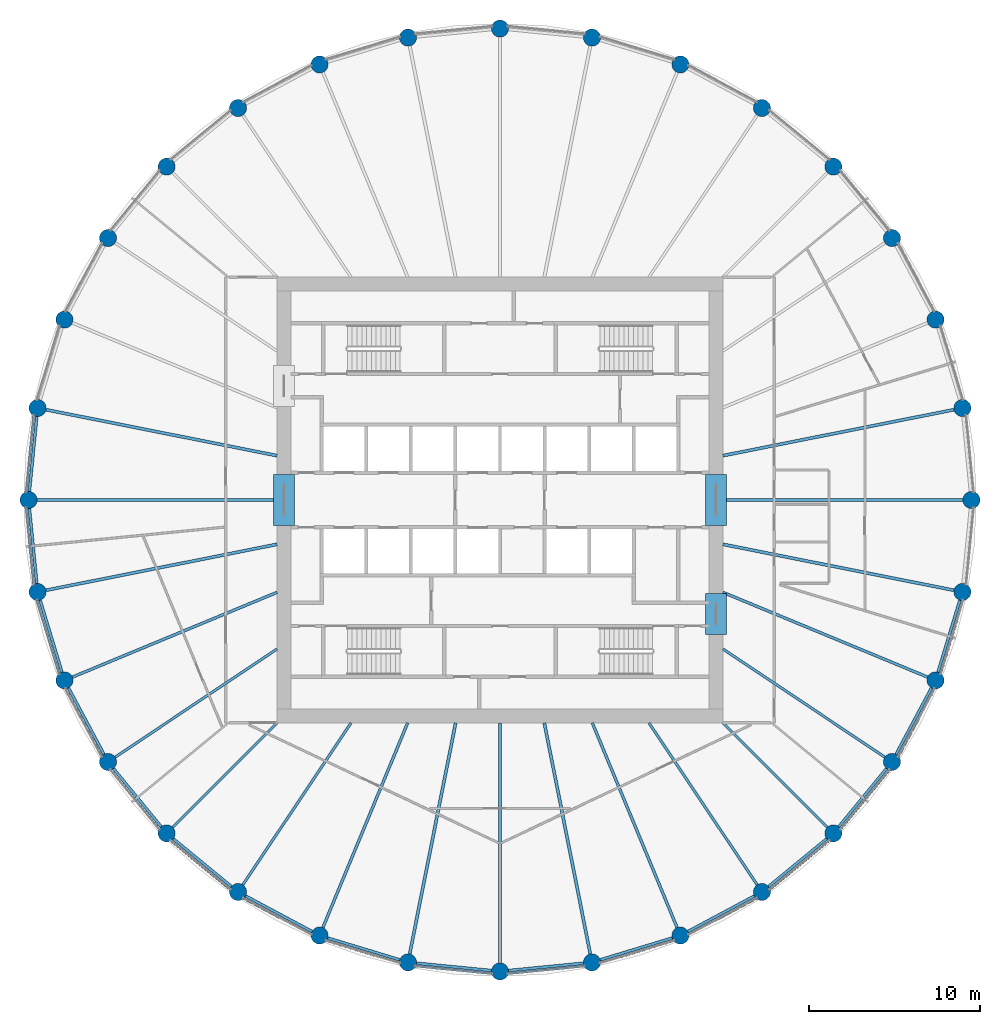
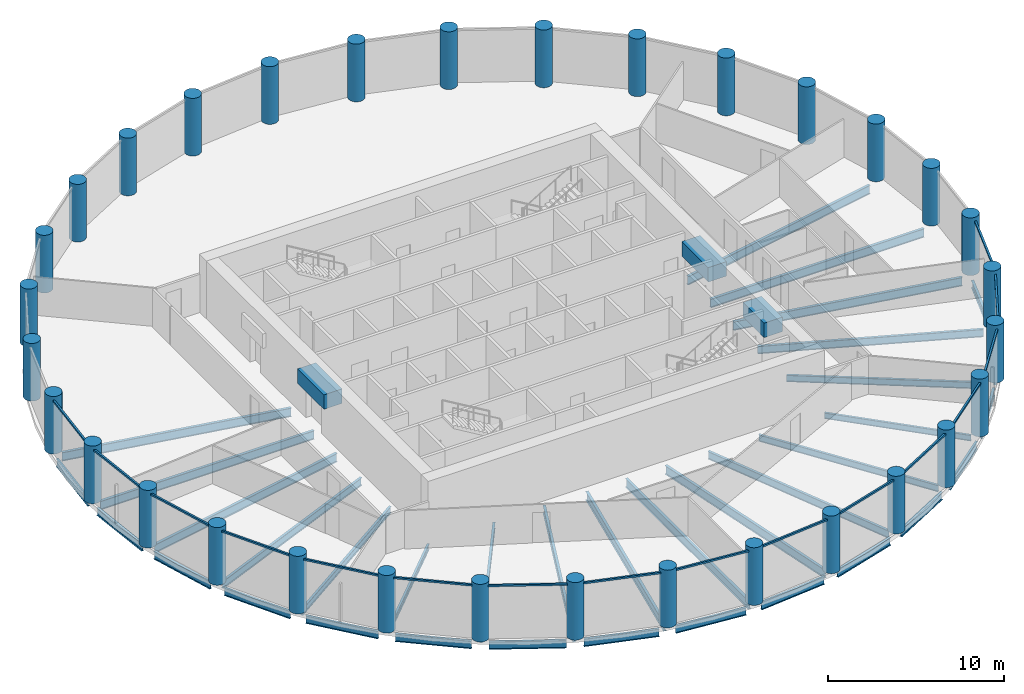
# One storey, part 1 of 8: 38 beams, 32 columns, 16 members, 16 elements without a shape of their own.
"""IFC4 building model written with IfcOpenShell, lengths in metres."""

from ifc_helpers import new_model, si_unit, direction, frame, origin, origin_2d, place, context, subcontext, project, spatial, rectangle, circle, i_section, extrude, material, material_profile, profile_set, type_object, element, aggregate, save


model = new_model("IFC4")

# Units and contexts
model_context = context("Model", 3, precision=1e-05, world=origin(), true_north=direction((0.0, 1.0)))
body_context = subcontext(model_context, "Body", "Model", "MODEL_VIEW")
ifc_project = project(units=[si_unit("LENGTHUNIT", "METRE"), si_unit("AREAUNIT", "SQUARE_METRE"), si_unit("VOLUMEUNIT", "CUBIC_METRE"), si_unit("PLANEANGLEUNIT", "RADIAN"), si_unit("MASSUNIT", "GRAM", prefix="KILO")], contexts=[model_context])

# Site, building, storey
site_placement = place(None, origin())
site = spatial("IfcSite", under=ifc_project, at=site_placement, CompositionType="ELEMENT")
building_placement = place(site_placement, origin())
building = spatial("IfcBuilding", under=site, at=building_placement, Name="Corvane Civic Tower", CompositionType="ELEMENT")
storey_placement = place(building_placement, frame((0.0, 0.0, 253.5)))
storey = spatial("IfcBuildingStorey", under=building, at=storey_placement, Name="L60", CompositionType="ELEMENT", Elevation=253.5)

# Columns
ifc_material_1 = material(Name="Concrete C60/75", Category="concrete")
ifc_material_profile_1 = material_profile(ifc_material_1, circle(Radius=0.5, at=origin_2d()), Name="COLUMN 1000")
ifc_profile_set_1 = profile_set([ifc_material_profile_1], Name="Concrete C60/75")
column_type = type_object("IfcColumnType", Name="RC COLUMN COLUMN 1000", PredefinedType="COLUMN", material=ifc_profile_set_1)
for number, where, z_axis, x_axis, name in (
    (1, (0.0, 27.5, 0.0), (0.0, 0.0, 1.0), (1.0, 0.0, 0.0), "COL-L60-D01"),
    (2, (5.364990234375, 26.9716796875, 0.0), (0.0, 0.0, 1.0), (1.0, 0.0, 0.0), "COL-L60-D02"),
    (3, (10.523681640625, 25.40673828125, 0.0), (0.0, 0.0, 1.0), (1.0, 0.0, 0.0), "COL-L60-D03"),
    (4, (15.278076171875, 22.865478515625, 0.0), (0.0, 0.0, 1.0), (1.0, 0.0, 0.0), "COL-L60-D04"),
    (5, (19.445556640625, 19.445556640625, 0.0), (0.0, 0.0, 1.0), (1.0, 0.0, 0.0), "COL-L60-D05"),
    (6, (22.865478515625, 15.278076171875, 0.0), (0.0, 0.0, 1.0), (1.0, 0.0, 0.0), "COL-L60-D06"),
    (7, (25.40673828125, 10.523681640625, 0.0), (0.0, 0.0, 1.0), (1.0, 0.0, 0.0), "COL-L60-D07"),
    (8, (26.9716796875, 5.364990234375, 0.0), (0.0, 0.0, 1.0), (1.0, 0.0, 0.0), "COL-L60-D08"),
    (9, (27.5, 0.0, 0.0), (0.0, 0.0, 1.0), (1.0, 0.0, 0.0), "COL-L60-D09"),
    (10, (26.9716796875, -5.364990234375, 0.0), (0.0, 0.0, 1.0), (1.0, 0.0, 0.0), "COL-L60-D10"),
    (11, (25.40673828125, -10.523681640625, 0.0), (0.0, 0.0, 1.0), (1.0, 0.0, 0.0), "COL-L60-D11"),
    (12, (22.865478515625, -15.278076171875, 0.0), (0.0, 0.0, 1.0), (1.0, 0.0, 0.0), "COL-L60-D12"),
    (13, (19.445556640625, -19.445556640625, 0.0), (0.0, 0.0, 1.0), (1.0, 0.0, 0.0), "COL-L60-D13"),
    (14, (15.278076171875, -22.865478515625, 0.0), (0.0, 0.0, 1.0), (1.0, 0.0, 0.0), "COL-L60-D14"),
    (15, (10.523681640625, -25.40673828125, 0.0), (0.0, 0.0, 1.0), (1.0, 0.0, 0.0), "COL-L60-D15"),
    (16, (5.364990234375, -26.9716796875, 0.0), (0.0, 0.0, 1.0), (1.0, 0.0, 0.0), "COL-L60-D16"),
    (17, (0.0, -27.5, 0.0), (0.0, 0.0, 1.0), (1.0, 0.0, 0.0), "COL-L60-D17"),
    (18, (-5.364990234375, -26.9716796875, 0.0), (0.0, 0.0, 1.0), (1.0, 0.0, 0.0), "COL-L60-D18"),
    (19, (-10.523681640625, -25.40673828125, 0.0), (0.0, 0.0, 1.0), (1.0, 0.0, 0.0), "COL-L60-D19"),
    (20, (-15.278076171875, -22.865478515625, 0.0), (0.0, 0.0, 1.0), (1.0, 0.0, 0.0), "COL-L60-D20"),
    (21, (-19.445556640625, -19.445556640625, 0.0), (0.0, 0.0, 1.0), (1.0, 0.0, 0.0), "COL-L60-D21"),
    (22, (-22.865478515625, -15.278076171875, 0.0), (0.0, 0.0, 1.0), (1.0, 0.0, 0.0), "COL-L60-D22"),
    (23, (-25.40673828125, -10.523681640625, 0.0), (0.0, 0.0, 1.0), (1.0, 0.0, 0.0), "COL-L60-D23"),
    (24, (-26.9716796875, -5.364990234375, 0.0), (0.0, 0.0, 1.0), (1.0, 0.0, 0.0), "COL-L60-D24"),
    (25, (-27.5, 0.0, 0.0), (0.0, 0.0, 1.0), (1.0, 0.0, 0.0), "COL-L60-D25"),
    (26, (-26.9716796875, 5.364990234375, 0.0), (0.0, 0.0, 1.0), (1.0, 0.0, 0.0), "COL-L60-D26"),
    (27, (-25.40673828125, 10.523681640625, 0.0), (0.0, 0.0, 1.0), (1.0, 0.0, 0.0), "COL-L60-D27"),
    (28, (-22.865478515625, 15.278076171875, 0.0), (0.0, 0.0, 1.0), (1.0, 0.0, 0.0), "COL-L60-D28"),
    (29, (-19.445556640625, 19.445556640625, 0.0), (0.0, 0.0, 1.0), (1.0, 0.0, 0.0), "COL-L60-D29"),
    (30, (-15.278076171875, 22.865478515625, 0.0), (0.0, 0.0, 1.0), (1.0, 0.0, 0.0), "COL-L60-D30"),
    (31, (-10.523681640625, 25.40673828125, 0.0), (0.0, 0.0, 1.0), (1.0, 0.0, 0.0), "COL-L60-D31"),
    (32, (-5.364990234375, 26.9716796875, 0.0), (0.0, 0.0, 1.0), (1.0, 0.0, 0.0), "COL-L60-D32"),
):
    element("IfcColumn", number, at=place(storey_placement, frame(where, z_axis=z_axis, x_axis=x_axis)), inside=storey, type_object=column_type, Name=name, PredefinedType="COLUMN", context=body_context, shape_type="SweptSolid", body=[
        extrude(circle(Radius=0.5, at=origin_2d()), origin(), (0.0, 0.0, 1.0), 4.0),
    ])

# Beams
ifc_material_2 = material(Name="Concrete C50/60", Category="concrete")
ifc_material_profile_2 = material_profile(ifc_material_2, rectangle(XDim=1.199951171875, YDim=1.0, at=origin_2d()), Name="COUPLING BEAM 1200X1000")
ifc_profile_set_2 = profile_set([ifc_material_profile_2], Name="Concrete C50/60")
beam_type_1 = type_object("IfcBeamType", Name="COUPLING BEAM COUPLING BEAM 1200X1000", PredefinedType="BEAM", material=ifc_profile_set_2)
for number, where, z_axis, x_axis, name in (
    (33, (-12.60009765625, -1.5, 2.60009765625), (0.0, 1.0, 0.0), (-1.0, 0.0, 0.0), "BM-L60-cpl-CW-LW"),
    (34, (12.60009765625, -1.5, 2.60009765625), (0.0, 1.0, 0.0), (-1.0, 0.0, 0.0), "BM-L60-cpl-CW-LE"),
):
    element("IfcBeam", number, at=place(storey_placement, frame(where, z_axis=z_axis, x_axis=x_axis)), inside=storey, type_object=beam_type_1, Name=name, PredefinedType="BEAM", context=body_context, shape_type="SweptSolid", body=[
        extrude(rectangle(XDim=1.199951171875, YDim=1.0, at=origin_2d()), origin(), (0.0, 0.0, 1.0), 3.0),
    ])
beam_1_placement = place(storey_placement, frame((12.60009765625, -7.85009765625, 2.60009765625), z_axis=(0.0, 1.0, 0.0), x_axis=(-1.0, 0.0, 0.0)))
element("IfcBeam", 35, at=beam_1_placement, inside=storey, type_object=beam_type_1, Name="BM-L60-cpl-CW-ES", PredefinedType="BEAM", context=body_context, shape_type="SweptSolid", body=[
    extrude(rectangle(XDim=1.199951171875, YDim=1.0, at=origin_2d()), origin(), (0.0, 0.0, 1.0), 2.400146484375),
])
ifc_material_3 = material(Name="Steel ASTM A992 Gr 50", Category="steel")
ifc_material_profile_3 = material_profile(ifc_material_3, i_section(OverallWidth=0.165771484375, OverallDepth=0.5283203125, WebThickness=0.009765625, FlangeThickness=0.013671875, at=origin_2d()), Name="W21X50")
ifc_profile_set_3 = profile_set([ifc_material_profile_3], Name="Steel ASTM A992 Gr 50")
beam_type_2 = type_object("IfcBeamType", Name="EDGE BEAM W21X50", PredefinedType="BEAM", material=ifc_profile_set_3)
beam_2_placement = place(storey_placement, frame((26.826416015625, -5.843505859375, -0.564208984375), z_axis=(-0.290254307888, -0.956949547653, 0.0), x_axis=(0.956949547653, -0.290254307888, 0.0)))
element("IfcBeam", 36, at=beam_2_placement, inside=storey, type_object=beam_type_2, Name="BM-L60-E10", PredefinedType="BEAM", context=body_context, shape_type="SweptSolid", body=[
    extrude(i_section(OverallWidth=0.165771484375, OverallDepth=0.5283203125, WebThickness=0.009765625, FlangeThickness=0.013671875, at=origin_2d()), origin(), (0.0, 0.0, 1.0), 4.390625),
])
for number, where, z_axis, x_axis, name in (
    (37, (25.171142578125, -10.964599609375, -0.564208984375), (-0.471422006704, -0.881907756852, 0.0), (0.881907756852, -0.471422006704, 0.0), "BM-L60-E11"),
    (38, (22.54833984375, -15.66455078125, -0.564208984375), (-0.634369433447, -0.773030026524, 0.0), (0.773030026524, -0.634369433447, 0.0), "BM-L60-E12"),
    (39, (19.05908203125, -19.7626953125, -0.564208984375), (-0.773030026524, -0.634369433447, 0.0), (0.634369433447, -0.773030026524, 0.0), "BM-L60-E13"),
    (40, (14.837158203125, -23.10107421875, -0.564208984375), (-0.881907756852, -0.471422006704, 0.0), (0.471422006704, -0.881907756852, 0.0), "BM-L60-E14"),
):
    element("IfcBeam", number, at=place(storey_placement, frame(where, z_axis=z_axis, x_axis=x_axis)), inside=storey, type_object=beam_type_2, Name=name, PredefinedType="BEAM", context=body_context, shape_type="SweptSolid", body=[
        extrude(i_section(OverallWidth=0.165771484375, OverallDepth=0.5283203125, WebThickness=0.009765625, FlangeThickness=0.013671875, at=origin_2d()), origin(), (0.0, 0.0, 1.0), 4.39111328125),
    ])
beam_3_placement = place(storey_placement, frame((10.045166015625, -25.552001953125, -0.564208984375), z_axis=(-0.956949547653, -0.290254307888, 0.0), x_axis=(0.290254307888, -0.956949547653, 0.0)))
element("IfcBeam", 41, at=beam_3_placement, inside=storey, type_object=beam_type_2, Name="BM-L60-E15", PredefinedType="BEAM", context=body_context, shape_type="SweptSolid", body=[
    extrude(i_section(OverallWidth=0.165771484375, OverallDepth=0.5283203125, WebThickness=0.009765625, FlangeThickness=0.013671875, at=origin_2d()), origin(), (0.0, 0.0, 1.0), 4.390625),
])
for number, where, z_axis, x_axis, name in (
    (42, (4.867431640625, -27.020751953125, -0.564208984375), (-0.995189593769, -0.097967711281, 0.0), (0.097967711281, -0.995189593769, 0.0), "BM-L60-E16"),
    (43, (-0.49755859375, -27.450927734375, -0.564208984375), (-0.995189593769, 0.097967711281, 0.0), (-0.097967711281, -0.995189593769, 0.0), "BM-L60-E17"),
):
    element("IfcBeam", number, at=place(storey_placement, frame(where, z_axis=z_axis, x_axis=x_axis)), inside=storey, type_object=beam_type_2, Name=name, PredefinedType="BEAM", context=body_context, shape_type="SweptSolid", body=[
        extrude(i_section(OverallWidth=0.165771484375, OverallDepth=0.5283203125, WebThickness=0.009765625, FlangeThickness=0.013671875, at=origin_2d()), origin(), (0.0, 0.0, 1.0), 4.39111328125),
    ])
beam_4_placement = place(storey_placement, frame((-5.843505859375, -26.826416015625, -0.564208984375), z_axis=(-0.956949547653, 0.290254307888, 0.0), x_axis=(-0.290254307888, -0.956949547653, 0.0)))
element("IfcBeam", 44, at=beam_4_placement, inside=storey, type_object=beam_type_2, Name="BM-L60-E18", PredefinedType="BEAM", context=body_context, shape_type="SweptSolid", body=[
    extrude(i_section(OverallWidth=0.165771484375, OverallDepth=0.5283203125, WebThickness=0.009765625, FlangeThickness=0.013671875, at=origin_2d()), origin(), (0.0, 0.0, 1.0), 4.390625),
])
for number, where, z_axis, x_axis, name in (
    (45, (-10.964599609375, -25.171142578125, -0.564208984375), (-0.881907756852, 0.471422006704, 0.0), (-0.471422006704, -0.881907756852, 0.0), "BM-L60-E19"),
    (46, (-15.66455078125, -22.54833984375, -0.564208984375), (-0.773030026524, 0.634369433447, 0.0), (-0.634369433447, -0.773030026524, 0.0), "BM-L60-E20"),
    (47, (-19.7626953125, -19.05908203125, -0.564208984375), (-0.634369433447, 0.773030026524, 0.0), (-0.773030026524, -0.634369433447, 0.0), "BM-L60-E21"),
    (48, (-23.10107421875, -14.837158203125, -0.564208984375), (-0.471422006704, 0.881907756852, 0.0), (-0.881907756852, -0.471422006704, 0.0), "BM-L60-E22"),
):
    element("IfcBeam", number, at=place(storey_placement, frame(where, z_axis=z_axis, x_axis=x_axis)), inside=storey, type_object=beam_type_2, Name=name, PredefinedType="BEAM", context=body_context, shape_type="SweptSolid", body=[
        extrude(i_section(OverallWidth=0.165771484375, OverallDepth=0.5283203125, WebThickness=0.009765625, FlangeThickness=0.013671875, at=origin_2d()), origin(), (0.0, 0.0, 1.0), 4.39111328125),
    ])
beam_5_placement = place(storey_placement, frame((-25.552001953125, -10.045166015625, -0.564208984375), z_axis=(-0.290254307888, 0.956949547653, 0.0), x_axis=(-0.956949547653, -0.290254307888, 0.0)))
element("IfcBeam", 49, at=beam_5_placement, inside=storey, type_object=beam_type_2, Name="BM-L60-E23", PredefinedType="BEAM", context=body_context, shape_type="SweptSolid", body=[
    extrude(i_section(OverallWidth=0.165771484375, OverallDepth=0.5283203125, WebThickness=0.009765625, FlangeThickness=0.013671875, at=origin_2d()), origin(), (0.0, 0.0, 1.0), 4.390625),
])
for number, where, z_axis, x_axis, name in (
    (50, (-27.020751953125, -4.867431640625, -0.564208984375), (-0.097967711281, 0.995189593769, 0.0), (-0.995189593769, -0.097967711281, 0.0), "BM-L60-E24"),
    (51, (-27.450927734375, 0.49755859375, -0.564208984375), (0.097967711281, 0.995189593769, 0.0), (-0.995189593769, 0.097967711281, 0.0), "BM-L60-E25"),
):
    element("IfcBeam", number, at=place(storey_placement, frame(where, z_axis=z_axis, x_axis=x_axis)), inside=storey, type_object=beam_type_2, Name=name, PredefinedType="BEAM", context=body_context, shape_type="SweptSolid", body=[
        extrude(i_section(OverallWidth=0.165771484375, OverallDepth=0.5283203125, WebThickness=0.009765625, FlangeThickness=0.013671875, at=origin_2d()), origin(), (0.0, 0.0, 1.0), 4.39111328125),
    ])
ifc_material_4 = material(Name="Steel ASTM A992 Gr 50", Category="steel")
ifc_material_profile_4 = material_profile(ifc_material_4, i_section(OverallWidth=0.140380859375, OverallDepth=0.40380859375, WebThickness=0.007080078125, FlangeThickness=0.01123046875, at=origin_2d()), Name="W16X31")
ifc_profile_set_4 = profile_set([ifc_material_profile_4], Name="Steel ASTM A992 Gr 50")
beam_type_3 = type_object("IfcBeamType", Name="FLOOR GIRDER W16X31", PredefinedType="BEAM", material=ifc_profile_set_4)
for number, where, z_axis, x_axis, name in (
    (52, (13.0, -13.0, -0.501953125), (0.707106781187, -0.707106781187, 0.0), (0.707106781187, 0.707106781187, 0.0), "BM-L60-G13"),
    (53, (-13.0, -13.0, -0.501953125), (-0.707106781187, -0.707106781187, 0.0), (0.707106781187, -0.707106781187, 0.0), "BM-L60-G21"),
):
    element("IfcBeam", number, at=place(storey_placement, frame(where, z_axis=z_axis, x_axis=x_axis)), inside=storey, type_object=beam_type_3, Name=name, PredefinedType="BEAM", context=body_context, shape_type="SweptSolid", body=[
        extrude(i_section(OverallWidth=0.140380859375, OverallDepth=0.40380859375, WebThickness=0.007080078125, FlangeThickness=0.01123046875, at=origin_2d()), origin(), (0.0, 0.0, 1.0), 8.614990234375),
    ])
ifc_material_5 = material(Name="Steel ASTM A992 Gr 50", Category="steel")
ifc_material_profile_5 = material_profile(ifc_material_5, i_section(OverallWidth=0.15283203125, OverallDepth=0.45458984375, WebThickness=0.008056640625, FlangeThickness=0.013427734375, at=origin_2d()), Name="W18X40")
ifc_profile_set_5 = profile_set([ifc_material_profile_5], Name="Steel ASTM A992 Gr 50")
beam_type_4 = type_object("IfcBeamType", Name="FLOOR GIRDER W18X40", PredefinedType="BEAM", material=ifc_profile_set_5)
for number, where, z_axis, x_axis, name in (
    (54, (13.0, -8.686279296875, -0.52734375), (0.831464872557, -0.555577326485, 0.0), (0.555577326485, 0.831464872557, 0.0), "BM-L60-G12"),
    (55, (8.686279296875, -13.0, -0.52734375), (0.555577326485, -0.831464872557, 0.0), (0.831464872557, 0.555577326485, 0.0), "BM-L60-G14"),
    (56, (-8.686279296875, -13.0, -0.52734375), (-0.555577326485, -0.831464872557, 0.0), (0.831464872557, -0.555577326485, 0.0), "BM-L60-G20"),
    (57, (-13.0, -8.686279296875, -0.52734375), (-0.831464872557, -0.555577326485, 0.0), (0.555577326485, -0.831464872557, 0.0), "BM-L60-G22"),
):
    element("IfcBeam", number, at=place(storey_placement, frame(where, z_axis=z_axis, x_axis=x_axis)), inside=storey, type_object=beam_type_4, Name=name, PredefinedType="BEAM", context=body_context, shape_type="SweptSolid", body=[
        extrude(i_section(OverallWidth=0.15283203125, OverallDepth=0.45458984375, WebThickness=0.008056640625, FlangeThickness=0.013427734375, at=origin_2d()), origin(), (0.0, 0.0, 1.0), 11.365234375),
    ])
ifc_material_6 = material(Name="Steel ASTM A992 Gr 50", Category="steel")
ifc_material_profile_6 = material_profile(ifc_material_6, i_section(OverallWidth=0.165771484375, OverallDepth=0.5283203125, WebThickness=0.009765625, FlangeThickness=0.013671875, at=origin_2d()), Name="W21X50")
ifc_profile_set_6 = profile_set([ifc_material_profile_6], Name="Steel ASTM A992 Gr 50")
beam_type_5 = type_object("IfcBeamType", Name="FLOOR GIRDER W21X50", PredefinedType="BEAM", material=ifc_profile_set_6)
for number, where, z_axis, x_axis, name in (
    (58, (13.0, -5.384765625, -0.564208984375), (0.923878282404, -0.382686450378, 0.0), (0.382686450378, 0.923878282404, 0.0), "BM-L60-G11"),
    (59, (5.384765625, -13.0, -0.564208984375), (0.382686450378, -0.923878282404, 0.0), (0.923878282404, 0.382686450378, 0.0), "BM-L60-G15"),
    (60, (-5.384765625, -13.0, -0.564208984375), (-0.382686450378, -0.923878282404, 0.0), (0.923878282404, -0.382686450378, 0.0), "BM-L60-G19"),
    (61, (-13.0, -5.384765625, -0.564208984375), (-0.923878282404, -0.382686450378, 0.0), (0.382686450378, -0.923878282404, 0.0), "BM-L60-G23"),
):
    element("IfcBeam", number, at=place(storey_placement, frame(where, z_axis=z_axis, x_axis=x_axis)), inside=storey, type_object=beam_type_5, Name=name, PredefinedType="BEAM", context=body_context, shape_type="SweptSolid", body=[
        extrude(i_section(OverallWidth=0.165771484375, OverallDepth=0.5283203125, WebThickness=0.009765625, FlangeThickness=0.013671875, at=origin_2d()), origin(), (0.0, 0.0, 1.0), 12.928955078125),
    ])
ifc_material_7 = material(Name="Steel ASTM A992 Gr 50", Category="steel")
ifc_material_profile_7 = material_profile(ifc_material_7, i_section(OverallWidth=0.177978515625, OverallDepth=0.599365234375, WebThickness=0.010009765625, FlangeThickness=0.012939453125, at=origin_2d()), Name="W24X55")
ifc_profile_set_7 = profile_set([ifc_material_profile_7], Name="Steel ASTM A992 Gr 50")
beam_type_6 = type_object("IfcBeamType", Name="FLOOR GIRDER W24X55", PredefinedType="BEAM", material=ifc_profile_set_7)
beam_6_placement = place(storey_placement, frame((13.0, 2.5859375, -0.599609375), z_axis=(0.980787802109, 0.195077644118, 0.0), x_axis=(-0.195077644118, 0.980787802109, 0.0)))
element("IfcBeam", 62, at=beam_6_placement, inside=storey, type_object=beam_type_6, Name="BM-L60-G08", PredefinedType="BEAM", context=body_context, shape_type="SweptSolid", body=[
    extrude(i_section(OverallWidth=0.177978515625, OverallDepth=0.599365234375, WebThickness=0.010009765625, FlangeThickness=0.012939453125, at=origin_2d()), origin(), (0.0, 0.0, 1.0), 13.745361328125),
])
beam_7_placement = place(storey_placement, frame((13.0, 0.0, -0.599609375), z_axis=(1.0, 0.0, 0.0), x_axis=(0.0, 1.0, 0.0)))
element("IfcBeam", 63, at=beam_7_placement, inside=storey, type_object=beam_type_6, Name="BM-L60-G09", PredefinedType="BEAM", context=body_context, shape_type="SweptSolid", body=[
    extrude(i_section(OverallWidth=0.177978515625, OverallDepth=0.599365234375, WebThickness=0.010009765625, FlangeThickness=0.012939453125, at=origin_2d()), origin(), (0.0, 0.0, 1.0), 14.0),
])
for number, where, z_axis, x_axis, name in (
    (64, (13.0, -2.5859375, -0.599609375), (0.980787802109, -0.195077644118, 0.0), (0.195077644118, 0.980787802109, 0.0), "BM-L60-G10"),
    (65, (2.5859375, -13.0, -0.599609375), (0.195077644118, -0.980787802109, 0.0), (0.980787802109, 0.195077644118, 0.0), "BM-L60-G16"),
):
    element("IfcBeam", number, at=place(storey_placement, frame(where, z_axis=z_axis, x_axis=x_axis)), inside=storey, type_object=beam_type_6, Name=name, PredefinedType="BEAM", context=body_context, shape_type="SweptSolid", body=[
        extrude(i_section(OverallWidth=0.177978515625, OverallDepth=0.599365234375, WebThickness=0.010009765625, FlangeThickness=0.012939453125, at=origin_2d()), origin(), (0.0, 0.0, 1.0), 13.745361328125),
    ])
beam_8_placement = place(storey_placement, frame((0.0, -13.0, -0.599609375), z_axis=(0.0, -1.0, 0.0), x_axis=(1.0, 0.0, 0.0)))
element("IfcBeam", 66, at=beam_8_placement, inside=storey, type_object=beam_type_6, Name="BM-L60-G17", PredefinedType="BEAM", context=body_context, shape_type="SweptSolid", body=[
    extrude(i_section(OverallWidth=0.177978515625, OverallDepth=0.599365234375, WebThickness=0.010009765625, FlangeThickness=0.012939453125, at=origin_2d()), origin(), (0.0, 0.0, 1.0), 14.0),
])
for number, where, z_axis, x_axis, name in (
    (67, (-2.5859375, -13.0, -0.599609375), (-0.195077644118, -0.980787802109, 0.0), (0.980787802109, -0.195077644118, 0.0), "BM-L60-G18"),
    (68, (-13.0, -2.5859375, -0.599609375), (-0.980787802109, -0.195077644118, 0.0), (0.195077644118, -0.980787802109, 0.0), "BM-L60-G24"),
):
    element("IfcBeam", number, at=place(storey_placement, frame(where, z_axis=z_axis, x_axis=x_axis)), inside=storey, type_object=beam_type_6, Name=name, PredefinedType="BEAM", context=body_context, shape_type="SweptSolid", body=[
        extrude(i_section(OverallWidth=0.177978515625, OverallDepth=0.599365234375, WebThickness=0.010009765625, FlangeThickness=0.012939453125, at=origin_2d()), origin(), (0.0, 0.0, 1.0), 13.745361328125),
    ])
beam_9_placement = place(storey_placement, frame((-13.0, 0.0, -0.599609375), z_axis=(-1.0, 0.0, 0.0), x_axis=(0.0, -1.0, 0.0)))
element("IfcBeam", 69, at=beam_9_placement, inside=storey, type_object=beam_type_6, Name="BM-L60-G25", PredefinedType="BEAM", context=body_context, shape_type="SweptSolid", body=[
    extrude(i_section(OverallWidth=0.177978515625, OverallDepth=0.599365234375, WebThickness=0.010009765625, FlangeThickness=0.012939453125, at=origin_2d()), origin(), (0.0, 0.0, 1.0), 14.0),
])
beam_10_placement = place(storey_placement, frame((-13.0, 2.5859375, -0.599609375), z_axis=(-0.980787802109, 0.195077644118, 0.0), x_axis=(-0.195077644118, -0.980787802109, 0.0)))
element("IfcBeam", 70, at=beam_10_placement, inside=storey, type_object=beam_type_6, Name="BM-L60-G26", PredefinedType="BEAM", context=body_context, shape_type="SweptSolid", body=[
    extrude(i_section(OverallWidth=0.177978515625, OverallDepth=0.599365234375, WebThickness=0.010009765625, FlangeThickness=0.012939453125, at=origin_2d()), origin(), (0.0, 0.0, 1.0), 13.745361328125),
])

# Curtain wall, member
ifc_material_8 = material(Name="Anodised aluminium bronze", Category="aluminium")
curtain_wall_type = type_object("IfcCurtainWallType", Name="TOWER CW-T2 STICK CURTAIN WALL", PredefinedType="NOTDEFINED", material=ifc_material_8)
curtain_wall_1_placement = place(storey_placement, origin())
curtain_wall_1 = element("IfcCurtainWall", 71, at=curtain_wall_1_placement, inside=storey, type_object=curtain_wall_type, Name="Curtain wall CW-T2 L60 bay 10", PredefinedType="NOTDEFINED")
ifc_material_9 = material(Name="Anodised aluminium bronze", Category="aluminium")
ifc_material_profile_8 = material_profile(ifc_material_9, rectangle(XDim=0.1201171875, YDim=0.1201171875, at=origin_2d()), Name="TOWER CW-T2 TRANSOM 120x120")
ifc_profile_set_8 = profile_set([ifc_material_profile_8], Name="Anodised aluminium bronze")
member_type = type_object("IfcMemberType", Name="TOWER CW-T2 TRANSOM 120x120", PredefinedType="USERDEFINED", material=ifc_profile_set_8)
member_1_placement = place(storey_placement, frame((27.016357421875, -5.8349609375, 3.68994140625), z_axis=(-0.2902818869, -0.956941182173, 0.0), x_axis=(0.956941182173, -0.2902818869, 0.0)))
member_1 = element("IfcMember", 72, at=member_1_placement, type_object=member_type, Name="Transom CW-T2 L60 10.1", ObjectType="TRANSOM", PredefinedType="USERDEFINED", context=body_context, shape_type="SweptSolid", body=[
    extrude(rectangle(XDim=0.1201171875, YDim=0.1201171875, at=origin_2d()), origin(), (0.0, 0.0, 1.0), 4.517333984375),
])
aggregate(curtain_wall_1, [member_1])

curtain_wall_2_placement = place(storey_placement, origin())
curtain_wall_2 = element("IfcCurtainWall", 73, at=curtain_wall_2_placement, inside=storey, type_object=curtain_wall_type, Name="Curtain wall CW-T2 L60 bay 11", PredefinedType="NOTDEFINED")
member_2_placement = place(storey_placement, frame((25.35888671875, -10.993408203125, 3.68994140625), z_axis=(-0.471390317183, -0.881924695689, 0.0), x_axis=(0.881924695689, -0.471390317183, 0.0)))
member_2 = element("IfcMember", 74, at=member_2_placement, type_object=member_type, Name="Transom CW-T2 L60 11.1", ObjectType="TRANSOM", PredefinedType="USERDEFINED", context=body_context, shape_type="SweptSolid", body=[
    extrude(rectangle(XDim=0.1201171875, YDim=0.1201171875, at=origin_2d()), origin(), (0.0, 0.0, 1.0), 4.517333984375),
])
aggregate(curtain_wall_2, [member_2])

curtain_wall_3_placement = place(storey_placement, origin())
curtain_wall_3 = element("IfcCurtainWall", 75, at=curtain_wall_3_placement, inside=storey, type_object=curtain_wall_type, Name="Curtain wall CW-T2 L60 bay 12", PredefinedType="NOTDEFINED")
member_3_placement = place(storey_placement, frame((22.726806640625, -15.7294921875, 3.68994140625), z_axis=(-0.634387834569, -0.773014925698, 0.0), x_axis=(0.773014925698, -0.634387834569, 0.0)))
member_3 = element("IfcMember", 76, at=member_3_placement, type_object=member_type, Name="Transom CW-T2 L60 12.1", ObjectType="TRANSOM", PredefinedType="USERDEFINED", context=body_context, shape_type="SweptSolid", body=[
    extrude(rectangle(XDim=0.1201171875, YDim=0.1201171875, at=origin_2d()), origin(), (0.0, 0.0, 1.0), 4.517333984375),
])
aggregate(curtain_wall_3, [member_3])

curtain_wall_4_placement = place(storey_placement, origin())
curtain_wall_4 = element("IfcCurtainWall", 77, at=curtain_wall_4_placement, inside=storey, type_object=curtain_wall_type, Name="Curtain wall CW-T2 L60 bay 13", PredefinedType="NOTDEFINED")
member_4_placement = place(storey_placement, frame((19.221435546875, -19.861083984375, 3.68994140625), z_axis=(-0.773014925698, -0.634387834569, 0.0), x_axis=(0.634387834569, -0.773014925698, 0.0)))
member_4 = element("IfcMember", 78, at=member_4_placement, type_object=member_type, Name="Transom CW-T2 L60 13.1", ObjectType="TRANSOM", PredefinedType="USERDEFINED", context=body_context, shape_type="SweptSolid", body=[
    extrude(rectangle(XDim=0.1201171875, YDim=0.1201171875, at=origin_2d()), origin(), (0.0, 0.0, 1.0), 4.517333984375),
])
aggregate(curtain_wall_4, [member_4])

curtain_wall_5_placement = place(storey_placement, origin())
curtain_wall_5 = element("IfcCurtainWall", 79, at=curtain_wall_5_placement, inside=storey, type_object=curtain_wall_type, Name="Curtain wall CW-T2 L60 bay 14", PredefinedType="NOTDEFINED")
member_5_placement = place(storey_placement, frame((14.977294921875, -23.2294921875, 3.68994140625), z_axis=(-0.881924695689, -0.471390317183, 0.0), x_axis=(0.471390317183, -0.881924695689, 0.0)))
member_5 = element("IfcMember", 80, at=member_5_placement, type_object=member_type, Name="Transom CW-T2 L60 14.1", ObjectType="TRANSOM", PredefinedType="USERDEFINED", context=body_context, shape_type="SweptSolid", body=[
    extrude(rectangle(XDim=0.1201171875, YDim=0.1201171875, at=origin_2d()), origin(), (0.0, 0.0, 1.0), 4.517333984375),
])
aggregate(curtain_wall_5, [member_5])

curtain_wall_6_placement = place(storey_placement, origin())
curtain_wall_6 = element("IfcCurtainWall", 81, at=curtain_wall_6_placement, inside=storey, type_object=curtain_wall_type, Name="Curtain wall CW-T2 L60 bay 15", PredefinedType="NOTDEFINED")
member_6_placement = place(storey_placement, frame((10.15771484375, -25.705078125, 3.68994140625), z_axis=(-0.956941182173, -0.2902818869, 0.0), x_axis=(0.2902818869, -0.956941182173, 0.0)))
member_6 = element("IfcMember", 82, at=member_6_placement, type_object=member_type, Name="Transom CW-T2 L60 15.1", ObjectType="TRANSOM", PredefinedType="USERDEFINED", context=body_context, shape_type="SweptSolid", body=[
    extrude(rectangle(XDim=0.1201171875, YDim=0.1201171875, at=origin_2d()), origin(), (0.0, 0.0, 1.0), 4.517333984375),
])
aggregate(curtain_wall_6, [member_6])

curtain_wall_7_placement = place(storey_placement, origin())
curtain_wall_7 = element("IfcCurtainWall", 83, at=curtain_wall_7_placement, inside=storey, type_object=curtain_wall_type, Name="Curtain wall CW-T2 L60 bay 16", PredefinedType="NOTDEFINED")
member_7_placement = place(storey_placement, frame((4.94775390625, -27.192626953125, 3.68994140625), z_axis=(-0.995182207386, -0.098042715701, 0.0), x_axis=(0.098042715701, -0.995182207386, 0.0)))
member_7 = element("IfcMember", 84, at=member_7_placement, type_object=member_type, Name="Transom CW-T2 L60 16.1", ObjectType="TRANSOM", PredefinedType="USERDEFINED", context=body_context, shape_type="SweptSolid", body=[
    extrude(rectangle(XDim=0.1201171875, YDim=0.1201171875, at=origin_2d()), origin(), (0.0, 0.0, 1.0), 4.51708984375),
])
aggregate(curtain_wall_7, [member_7])

curtain_wall_8_placement = place(storey_placement, origin())
curtain_wall_8 = element("IfcCurtainWall", 85, at=curtain_wall_8_placement, inside=storey, type_object=curtain_wall_type, Name="Curtain wall CW-T2 L60 bay 17", PredefinedType="NOTDEFINED")
member_8_placement = place(storey_placement, frame((-0.452392578125, -27.635498046875, 3.68994140625), z_axis=(-0.995182207386, 0.098042715701, 0.0), x_axis=(-0.098042715701, -0.995182207386, 0.0)))
member_8 = element("IfcMember", 86, at=member_8_placement, type_object=member_type, Name="Transom CW-T2 L60 17.1", ObjectType="TRANSOM", PredefinedType="USERDEFINED", context=body_context, shape_type="SweptSolid", body=[
    extrude(rectangle(XDim=0.1201171875, YDim=0.1201171875, at=origin_2d()), origin(), (0.0, 0.0, 1.0), 4.51708984375),
])
aggregate(curtain_wall_8, [member_8])

curtain_wall_9_placement = place(storey_placement, origin())
curtain_wall_9 = element("IfcCurtainWall", 87, at=curtain_wall_9_placement, inside=storey, type_object=curtain_wall_type, Name="Curtain wall CW-T2 L60 bay 18", PredefinedType="NOTDEFINED")
member_9_placement = place(storey_placement, frame((-5.8349609375, -27.016357421875, 3.68994140625), z_axis=(-0.956941182173, 0.2902818869, 0.0), x_axis=(-0.2902818869, -0.956941182173, 0.0)))
member_9 = element("IfcMember", 88, at=member_9_placement, type_object=member_type, Name="Transom CW-T2 L60 18.1", ObjectType="TRANSOM", PredefinedType="USERDEFINED", context=body_context, shape_type="SweptSolid", body=[
    extrude(rectangle(XDim=0.1201171875, YDim=0.1201171875, at=origin_2d()), origin(), (0.0, 0.0, 1.0), 4.517333984375),
])
aggregate(curtain_wall_9, [member_9])

curtain_wall_10_placement = place(storey_placement, origin())
curtain_wall_10 = element("IfcCurtainWall", 89, at=curtain_wall_10_placement, inside=storey, type_object=curtain_wall_type, Name="Curtain wall CW-T2 L60 bay 19", PredefinedType="NOTDEFINED")
member_10_placement = place(storey_placement, frame((-10.993408203125, -25.35888671875, 3.68994140625), z_axis=(-0.881924695689, 0.471390317183, 0.0), x_axis=(-0.471390317183, -0.881924695689, 0.0)))
member_10 = element("IfcMember", 90, at=member_10_placement, type_object=member_type, Name="Transom CW-T2 L60 19.1", ObjectType="TRANSOM", PredefinedType="USERDEFINED", context=body_context, shape_type="SweptSolid", body=[
    extrude(rectangle(XDim=0.1201171875, YDim=0.1201171875, at=origin_2d()), origin(), (0.0, 0.0, 1.0), 4.517333984375),
])
aggregate(curtain_wall_10, [member_10])

curtain_wall_11_placement = place(storey_placement, origin())
curtain_wall_11 = element("IfcCurtainWall", 91, at=curtain_wall_11_placement, inside=storey, type_object=curtain_wall_type, Name="Curtain wall CW-T2 L60 bay 20", PredefinedType="NOTDEFINED")
member_11_placement = place(storey_placement, frame((-15.7294921875, -22.726806640625, 3.68994140625), z_axis=(-0.773014925698, 0.634387834569, 0.0), x_axis=(-0.634387834569, -0.773014925698, 0.0)))
member_11 = element("IfcMember", 92, at=member_11_placement, type_object=member_type, Name="Transom CW-T2 L60 20.1", ObjectType="TRANSOM", PredefinedType="USERDEFINED", context=body_context, shape_type="SweptSolid", body=[
    extrude(rectangle(XDim=0.1201171875, YDim=0.1201171875, at=origin_2d()), origin(), (0.0, 0.0, 1.0), 4.517333984375),
])
aggregate(curtain_wall_11, [member_11])

curtain_wall_12_placement = place(storey_placement, origin())
curtain_wall_12 = element("IfcCurtainWall", 93, at=curtain_wall_12_placement, inside=storey, type_object=curtain_wall_type, Name="Curtain wall CW-T2 L60 bay 21", PredefinedType="NOTDEFINED")
member_12_placement = place(storey_placement, frame((-19.861083984375, -19.221435546875, 3.68994140625), z_axis=(-0.634387834569, 0.773014925698, 0.0), x_axis=(-0.773014925698, -0.634387834569, 0.0)))
member_12 = element("IfcMember", 94, at=member_12_placement, type_object=member_type, Name="Transom CW-T2 L60 21.1", ObjectType="TRANSOM", PredefinedType="USERDEFINED", context=body_context, shape_type="SweptSolid", body=[
    extrude(rectangle(XDim=0.1201171875, YDim=0.1201171875, at=origin_2d()), origin(), (0.0, 0.0, 1.0), 4.517333984375),
])
aggregate(curtain_wall_12, [member_12])

curtain_wall_13_placement = place(storey_placement, origin())
curtain_wall_13 = element("IfcCurtainWall", 95, at=curtain_wall_13_placement, inside=storey, type_object=curtain_wall_type, Name="Curtain wall CW-T2 L60 bay 22", PredefinedType="NOTDEFINED")
member_13_placement = place(storey_placement, frame((-23.2294921875, -14.977294921875, 3.68994140625), z_axis=(-0.471390317183, 0.881924695689, 0.0), x_axis=(-0.881924695689, -0.471390317183, 0.0)))
member_13 = element("IfcMember", 96, at=member_13_placement, type_object=member_type, Name="Transom CW-T2 L60 22.1", ObjectType="TRANSOM", PredefinedType="USERDEFINED", context=body_context, shape_type="SweptSolid", body=[
    extrude(rectangle(XDim=0.1201171875, YDim=0.1201171875, at=origin_2d()), origin(), (0.0, 0.0, 1.0), 4.517333984375),
])
aggregate(curtain_wall_13, [member_13])

curtain_wall_14_placement = place(storey_placement, origin())
curtain_wall_14 = element("IfcCurtainWall", 97, at=curtain_wall_14_placement, inside=storey, type_object=curtain_wall_type, Name="Curtain wall CW-T2 L60 bay 23", PredefinedType="NOTDEFINED")
member_14_placement = place(storey_placement, frame((-25.705078125, -10.15771484375, 3.68994140625), z_axis=(-0.2902818869, 0.956941182173, 0.0), x_axis=(-0.956941182173, -0.2902818869, 0.0)))
member_14 = element("IfcMember", 98, at=member_14_placement, type_object=member_type, Name="Transom CW-T2 L60 23.1", ObjectType="TRANSOM", PredefinedType="USERDEFINED", context=body_context, shape_type="SweptSolid", body=[
    extrude(rectangle(XDim=0.1201171875, YDim=0.1201171875, at=origin_2d()), origin(), (0.0, 0.0, 1.0), 4.517333984375),
])
aggregate(curtain_wall_14, [member_14])

curtain_wall_15_placement = place(storey_placement, origin())
curtain_wall_15 = element("IfcCurtainWall", 99, at=curtain_wall_15_placement, inside=storey, type_object=curtain_wall_type, Name="Curtain wall CW-T2 L60 bay 24", PredefinedType="NOTDEFINED")
member_15_placement = place(storey_placement, frame((-27.192626953125, -4.94775390625, 3.68994140625), z_axis=(-0.098042715701, 0.995182207386, 0.0), x_axis=(-0.995182207386, -0.098042715701, 0.0)))
member_15 = element("IfcMember", 100, at=member_15_placement, type_object=member_type, Name="Transom CW-T2 L60 24.1", ObjectType="TRANSOM", PredefinedType="USERDEFINED", context=body_context, shape_type="SweptSolid", body=[
    extrude(rectangle(XDim=0.1201171875, YDim=0.1201171875, at=origin_2d()), origin(), (0.0, 0.0, 1.0), 4.51708984375),
])
aggregate(curtain_wall_15, [member_15])

curtain_wall_16_placement = place(storey_placement, origin())
curtain_wall_16 = element("IfcCurtainWall", 101, at=curtain_wall_16_placement, inside=storey, type_object=curtain_wall_type, Name="Curtain wall CW-T2 L60 bay 25", PredefinedType="NOTDEFINED")
member_16_placement = place(storey_placement, frame((-27.635498046875, 0.452392578125, 3.68994140625), z_axis=(0.098042715701, 0.995182207386, 0.0), x_axis=(-0.995182207386, 0.098042715701, 0.0)))
member_16 = element("IfcMember", 102, at=member_16_placement, type_object=member_type, Name="Transom CW-T2 L60 25.1", ObjectType="TRANSOM", PredefinedType="USERDEFINED", context=body_context, shape_type="SweptSolid", body=[
    extrude(rectangle(XDim=0.1201171875, YDim=0.1201171875, at=origin_2d()), origin(), (0.0, 0.0, 1.0), 4.51708984375),
])
aggregate(curtain_wall_16, [member_16])

save(model, "model.ifc")
